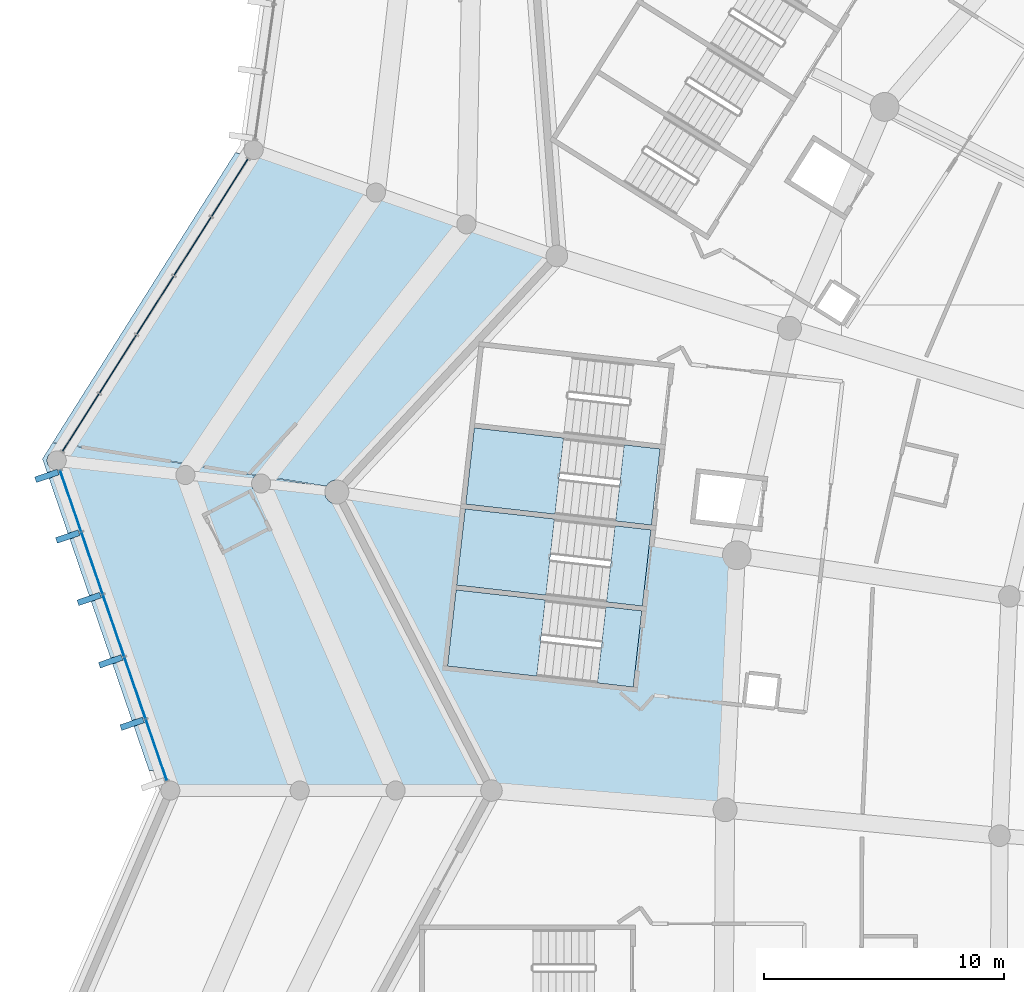
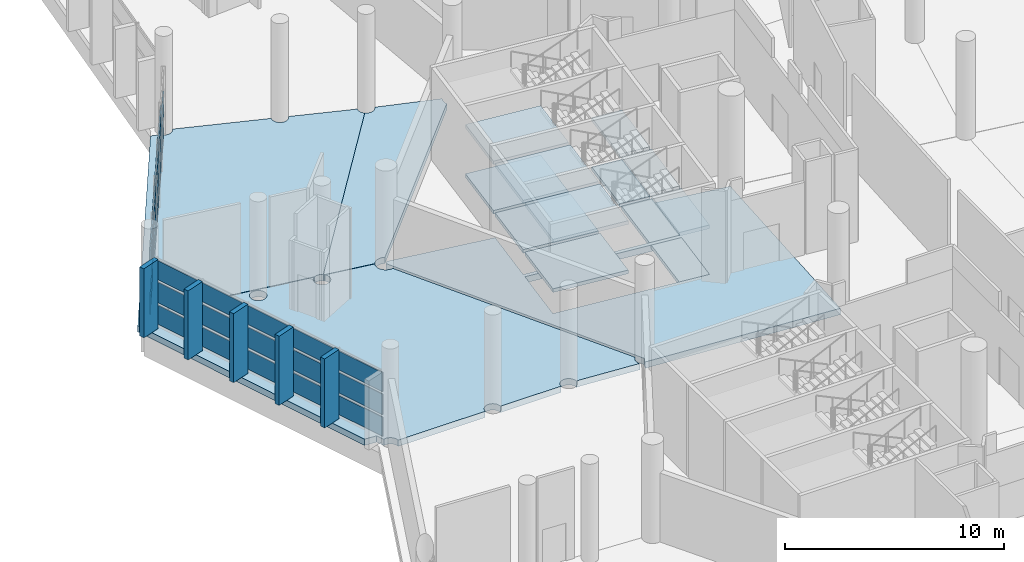
# One storey, part 139 of 271: 34 plates, 16 slabs, 5 elements without a shape of their own.
"""IFC4 building model written with IfcOpenShell, lengths in metres."""

import ifcopenshell
import ifcopenshell.guid

model = None  # the IFC model being written
_history = None  # IfcOwnerHistory: only IFC2X3 demands one
_inside = {}  # id of a spatial element -> (the spatial element, [elements in it])
_under = {}  # id of a project, library or spatial element -> (it, [spatial elements below it])
_declared = {}  # id of a project -> (the project, [libraries it declares])
_typed = {}  # id of a type object -> (the type object, [elements of that type])
_made_of = {}  # id of a material, layer set ... -> (it, [elements and type objects made of it])


def new_model(schema):
    """Start an empty IFC model of exactly this schema.

    Asked for "IFC4X3", IfcOpenShell would pick the latest addendum, in which some entities
    have other attributes; the version numbers below select the first issue.
    IFC2X3 requires an IfcOwnerHistory on every rooted entity: one is made here for all.
    """
    global model, _history
    if schema == "IFC4X3":
        model = ifcopenshell.file(schema_version=(4, 3, 0, 0))
    else:
        model = ifcopenshell.file(schema=schema)
    _inside.clear()
    _under.clear()
    _declared.clear()
    _typed.clear()
    _made_of.clear()
    _history = None
    if model.schema == "IFC2X3":
        org = make("IfcOrganization", Name="unknown")
        user = make(
            "IfcPersonAndOrganization",
            ThePerson=make("IfcPerson", FamilyName="unknown"),
            TheOrganization=org,
        )
        app = make(
            "IfcApplication",
            ApplicationDeveloper=org,
            Version="unknown",
            ApplicationFullName="unknown",
            ApplicationIdentifier="unknown",
        )
        _history = make(
            "IfcOwnerHistory",
            OwningUser=user,
            OwningApplication=app,
            ChangeAction="ADDED",
            CreationDate=0,
        )
    return model


def make(cls, **values):
    """One entity of the class cls with the attributes given. An attribute that is None is left unset."""
    return model.create_entity(
        cls, **{name: value for name, value in values.items() if value is not None}
    )


def rooted(cls, **values):
    """An entity with a GlobalId (a new one), such as an element, a storey or a relation."""
    return make(cls, GlobalId=ifcopenshell.guid.new(), OwnerHistory=_history, **values)


def si_unit(unit_type, name, prefix=None):
    """IfcSIUnit, for example si_unit("LENGTHUNIT", "METRE", prefix="MILLI")."""
    return make("IfcSIUnit", UnitType=unit_type, Prefix=prefix, Name=name)


def assignment(units):
    """IfcUnitAssignment: the units of a project."""
    return None if units is None else make("IfcUnitAssignment", Units=units)


def point(xyz):
    """IfcCartesianPoint."""
    return None if xyz is None else make("IfcCartesianPoint", Coordinates=xyz)


def direction(xyz):
    """IfcDirection."""
    return None if xyz is None else make("IfcDirection", DirectionRatios=xyz)


def frame(location, z_axis=None, x_axis=None):
    """IfcAxis2Placement3D, a coordinate frame: its origin and axes. An axis left out is left unset."""
    return make(
        "IfcAxis2Placement3D",
        Location=point(location),
        Axis=direction(z_axis),
        RefDirection=direction(x_axis),
    )


def frame_2d(location, x_axis=None):
    """IfcAxis2Placement2D, a coordinate frame in the plane: its origin and x axis."""
    return make(
        "IfcAxis2Placement2D", Location=point(location), RefDirection=direction(x_axis)
    )


def origin():
    """The frame at (0, 0, 0) with its axes left unset."""
    return frame((0.0, 0.0, 0.0))


def origin_2d():
    """The frame at (0, 0) in the plane with its x axis left unset."""
    return frame_2d((0.0, 0.0))


def place(relative_to, where):
    """IfcLocalPlacement: puts the frame where relative to a parent placement (None: the world)."""
    return make(
        "IfcLocalPlacement", PlacementRelTo=relative_to, RelativePlacement=where
    )


def context(
    kind, dimensions, precision=None, world=None, true_north=None, identifier=None
):
    """IfcGeometricRepresentationContext, for example the 3D "Model" context."""
    return make(
        "IfcGeometricRepresentationContext",
        ContextIdentifier=identifier,
        ContextType=kind,
        CoordinateSpaceDimension=dimensions,
        Precision=precision,
        WorldCoordinateSystem=world,
        TrueNorth=true_north,
    )


def subcontext(parent, identifier, kind, view, scale=None):
    """IfcGeometricRepresentationSubContext, for example "Body" below "Model"."""
    return make(
        "IfcGeometricRepresentationSubContext",
        ContextIdentifier=identifier,
        ContextType=kind,
        ParentContext=parent,
        TargetScale=scale,
        TargetView=view,
    )


def project(units=None, contexts=None):
    """IfcProject with its units and contexts."""
    return rooted(
        "IfcProject",
        Name="project",
        RepresentationContexts=contexts,
        UnitsInContext=assignment(units),
    )


def spatial(cls, under=None, at=None, **own):
    """A site, building, storey or space (cls), placed at a placement, below another one or the project."""
    s = rooted(cls, ObjectPlacement=at, **own)
    if under is not None:
        _under.setdefault(under.id(), (under, []))[1].append(s)
    return s


def polyline(points):
    """IfcPolyline through the points."""
    return make("IfcPolyline", Points=[point(p) for p in points])


def profile(cls, at=None, kind="AREA", **sizes):
    """A parametric profile (cls). Its sizes go by their IFC names, for example OverallWidth=200.0."""
    return make(cls, ProfileType=kind, Position=at, **sizes)


def rectangle(**sizes):
    """IfcRectangleProfileDef."""
    return profile("IfcRectangleProfileDef", **sizes)


def outline(outer, holes=None, kind="AREA"):
    """IfcArbitraryClosedProfileDef: a profile drawn as a closed curve; with holes, ...WithVoids."""
    if holes is None:
        return make("IfcArbitraryClosedProfileDef", ProfileType=kind, OuterCurve=outer)
    return make(
        "IfcArbitraryProfileDefWithVoids",
        ProfileType=kind,
        OuterCurve=outer,
        InnerCurves=holes,
    )


def extrude(swept, where, along, depth):
    """IfcExtrudedAreaSolid: the profile swept, set in the frame where, extruded along a direction by depth."""
    return make(
        "IfcExtrudedAreaSolid",
        SweptArea=swept,
        Position=where,
        ExtrudedDirection=direction(along),
        Depth=depth,
    )


def shape(context_of_items, identifier, shape_type, items):
    """IfcShapeRepresentation: the items that make up one representation, for example the "Body"."""
    return make(
        "IfcShapeRepresentation",
        ContextOfItems=context_of_items,
        RepresentationIdentifier=identifier,
        RepresentationType=shape_type,
        Items=items,
    )


def material(Name=None, Category=None):
    """IfcMaterial."""
    return make("IfcMaterial", Name=Name, Category=Category)


def layer(
    of_material, thickness, ventilated=None, Name=None, Category=None, Priority=None
):
    """IfcMaterialLayer: one layer of a wall or slab, of a material (None: an air gap)."""
    return make(
        "IfcMaterialLayer",
        Material=of_material,
        LayerThickness=thickness,
        IsVentilated=ventilated,
        Name=Name,
        Category=Category,
        Priority=Priority,
    )


def layer_set(layers, Name=None):
    """IfcMaterialLayerSet."""
    return make("IfcMaterialLayerSet", MaterialLayers=layers, LayerSetName=Name)


def made_of(thing, what):
    """Note that an element or type object is made of a material, layer set ...; save() writes the relation."""
    if what is not None:
        _made_of.setdefault(what.id(), (what, []))[1].append(thing)
    return thing


def type_object(cls, material=None, **own):
    """A type object (cls), such as IfcWallType, which elements share."""
    return made_of(rooted(cls, **own), material)


def element(
    cls,
    number,
    at=None,
    inside=None,
    cuts=None,
    type_object=None,
    material=None,
    context=None,
    identifier="Body",
    shape_type=None,
    held_by="IfcProductDefinitionShape",
    body=None,
    shapes=None,
    **own,
):
    """One element of the class cls, such as IfcWall. Its Tag is "e" and its number.

    at: its placement. inside: the storey or other place that contains it. cuts: it is an
    opening in that element (IfcRelVoidsElement). A single representation is given by context,
    identifier, shape_type and body (its items); several are given by shapes. held_by: the class
    of the entity that holds the representations. save() writes the other relations.
    """
    e = rooted(cls, Tag="e%d" % number, ObjectPlacement=at, **own)
    if body is not None:
        shapes = [shape(context, identifier, shape_type, body)]
    if shapes is not None:
        e.Representation = make(held_by, Representations=shapes)
    if inside is not None:
        _inside.setdefault(inside.id(), (inside, []))[1].append(e)
    if cuts is not None:
        rooted(
            "IfcRelVoidsElement", RelatingBuildingElement=cuts, RelatedOpeningElement=e
        )
    if type_object is not None:
        _typed.setdefault(type_object.id(), (type_object, []))[1].append(e)
    return made_of(e, material)


def aggregate(whole, parts):
    """IfcRelAggregates: a whole, such as a stair, and the parts it consists of."""
    return rooted("IfcRelAggregates", RelatingObject=whole, RelatedObjects=parts)


def save(model, path):
    """Write the relations noted so far, then the file.

    IfcRelAggregates (storeys below a building ...), IfcRelContainedInSpatialStructure (elements
    in a storey), IfcRelDefinesByType, IfcRelAssociatesMaterial and IfcRelDeclares: one each for
    every whole, place, type object, material and project.
    """
    for whole, parts in _under.values():
        aggregate(whole, parts)
    for where, things in _inside.values():
        rooted(
            "IfcRelContainedInSpatialStructure",
            RelatedElements=things,
            RelatingStructure=where,
        )
    for kind, things in _typed.values():
        rooted("IfcRelDefinesByType", RelatedObjects=things, RelatingType=kind)
    for what, things in _made_of.values():
        rooted("IfcRelAssociatesMaterial", RelatedObjects=things, RelatingMaterial=what)
    for by, libraries in _declared.values():
        rooted("IfcRelDeclares", RelatingContext=by, RelatedDefinitions=libraries)
    model.write(path)


model = new_model("IFC4")

# Units and contexts
model_context = context("Model", 3, precision=1e-05, world=origin(), true_north=direction((0.0, 1.0)))
body_context = subcontext(model_context, "Body", "Model", "MODEL_VIEW")
ifc_project = project(units=[si_unit("LENGTHUNIT", "METRE"), si_unit("AREAUNIT", "SQUARE_METRE"), si_unit("VOLUMEUNIT", "CUBIC_METRE"), si_unit("PLANEANGLEUNIT", "RADIAN"), si_unit("MASSUNIT", "GRAM", prefix="KILO")], contexts=[model_context])

# Site, building, storey
site_placement = place(None, origin())
site = spatial("IfcSite", under=ifc_project, at=site_placement, CompositionType="ELEMENT")
building_placement = place(site_placement, origin())
building = spatial("IfcBuilding", under=site, at=building_placement, Name="Meseta Stadium", CompositionType="ELEMENT")
storey_placement = place(building_placement, frame((0.0, 0.0, 6.5)))
storey = spatial("IfcBuildingStorey", under=building, at=storey_placement, Name="L01", CompositionType="ELEMENT", Elevation=6.5)

# Slabs
ifc_material_1 = material(Name="Concrete C40/50", Category="concrete")
ifc_layer_1 = layer(ifc_material_1, 0.35009765625)
ifc_layer_set_1 = layer_set([ifc_layer_1], Name="Floor slab 350")
slab_type_1 = type_object("IfcSlabType", Name="Floor slab 350", PredefinedType="FLOOR", material=ifc_layer_set_1)
slab_1_placement = place(storey_placement, frame((0.0, 0.0, -0.35009765625)))
element("IfcSlab", 1, at=slab_1_placement, inside=storey, type_object=slab_type_1, Name="Floor slab L01 sector 28 panel 03", PredefinedType="FLOOR", context=body_context, shape_type="SweptSolid", body=[
    extrude(outline(polyline([(-87.98779296875, 54.252197265625), (-88.30419921875, 51.44580078125), (-96.05517578125, 52.319091796875), (-95.697509765625, 55.493896484375), (-100.927490234375, 56.336181640625), (-101.0517578125, 56.202880859375), (-94.60009765625, 43.75), (-94.736328125, 43.49951171875), (-84.85546875, 42.7412109375), (-84.85400390625, 42.948486328125), (-84.36328125, 53.5654296875), (-84.34033203125, 53.664794921875), (-87.98779296875, 54.252197265625)]), holes=[polyline([(-88.684814453125, 48.06689453125), (-96.435791015625, 48.9404296875), (-96.077392578125, 52.1201171875), (-88.326416015625, 51.246826171875), (-88.684814453125, 48.06689453125)])]), origin(), (0.0, 0.0, 1.0), 0.35009765625),
])
slab_2_placement = place(storey_placement, frame((0.0, 0.0, -0.35009765625)))
element("IfcSlab", 2, at=slab_2_placement, inside=storey, type_object=slab_type_1, Name="Ring floor slab L01 4 part 1 panel 03", PredefinedType="FLOOR", context=body_context, shape_type="SweptSolid", body=[
    extrude(outline(polyline([(-98.210205078125, 43.8544921875), (-98.196533203125, 43.75), (-98.00048828125, 43.75), (-94.989990234375, 43.51904296875), (-94.9931640625, 43.523193359375), (-95.038330078125, 43.632568359375), (-95.053955078125, 43.75), (-95.038330078125, 43.867431640625), (-94.9931640625, 43.976806640625), (-94.929443359375, 44.059814453125), (-100.965087890625, 55.7099609375), (-101.0517578125, 55.698486328125), (-101.18212890625, 55.7158203125), (-101.3037109375, 55.76611328125), (-101.408203125, 55.84619140625), (-101.48828125, 55.95068359375), (-101.538818359375, 56.072265625), (-101.555908203125, 56.202880859375), (-101.538818359375, 56.33349609375), (-101.49951171875, 56.42822265625), (-103.90478515625, 56.815673828125), (-103.862548828125, 56.760498046875), (-103.822265625, 56.663330078125), (-103.80859375, 56.558837890625), (-103.822265625, 56.45458984375), (-103.862548828125, 56.357177734375), (-103.9267578125, 56.273681640625), (-104.01025390625, 56.20947265625), (-104.107666015625, 56.169189453125), (-104.2119140625, 56.155517578125), (-104.31640625, 56.169189453125), (-104.413818359375, 56.20947265625), (-104.497314453125, 56.273681640625), (-104.561279296875, 56.357177734375), (-104.601806640625, 56.45458984375), (-104.615478515625, 56.558837890625), (-104.601806640625, 56.663330078125), (-104.561279296875, 56.760498046875), (-104.497314453125, 56.84423828125), (-104.42529296875, 56.8994140625), (-112.906982421875, 58.265380859375), (-113.334716796875, 57.5869140625), (-108.885986328125, 44.58544921875), (-108.271240234375, 44.538330078125), (-108.13037109375, 44.12890625), (-108.1044921875, 44.1396484375), (-108.0, 44.153564453125), (-107.8955078125, 44.1396484375), (-107.79833984375, 44.099365234375), (-107.714599609375, 44.035400390625), (-107.650634765625, 43.95166015625), (-107.6103515625, 43.8544921875), (-107.596435546875, 43.75), (-103.00341796875, 43.75), (-102.98974609375, 43.8544921875), (-102.949462890625, 43.95166015625), (-102.88525390625, 44.035400390625), (-102.8017578125, 44.099365234375), (-102.704345703125, 44.1396484375), (-102.60009765625, 44.153564453125), (-102.49560546875, 44.1396484375), (-102.398193359375, 44.099365234375), (-102.314697265625, 44.035400390625), (-102.25048828125, 43.95166015625), (-102.210205078125, 43.8544921875), (-102.196533203125, 43.75), (-99.00341796875, 43.75), (-98.98974609375, 43.8544921875), (-98.949462890625, 43.95166015625), (-98.88525390625, 44.035400390625), (-98.8017578125, 44.099365234375), (-98.704345703125, 44.1396484375), (-98.60009765625, 44.153564453125), (-98.49560546875, 44.1396484375), (-98.398193359375, 44.099365234375), (-98.314697265625, 44.035400390625), (-98.25048828125, 43.95166015625), (-98.210205078125, 43.8544921875)]), holes=[polyline([(-107.57421875, 56.565673828125), (-107.65771484375, 56.629638671875), (-107.7216796875, 56.71337890625), (-107.76220703125, 56.810546875), (-107.77587890625, 56.9150390625), (-107.76220703125, 57.019287109375), (-107.7216796875, 57.11669921875), (-107.65771484375, 57.2001953125), (-107.57421875, 57.264404296875), (-107.476806640625, 57.3046875), (-107.372314453125, 57.318603515625), (-107.267822265625, 57.3046875), (-107.170654296875, 57.264404296875), (-107.087158203125, 57.2001953125), (-107.02294921875, 57.11669921875), (-106.982666015625, 57.019287109375), (-106.968994140625, 56.9150390625), (-106.982666015625, 56.810546875), (-107.02294921875, 56.71337890625), (-107.087158203125, 56.629638671875), (-107.170654296875, 56.565673828125), (-107.267822265625, 56.525390625), (-107.372314453125, 56.51171875), (-107.476806640625, 56.525390625), (-107.57421875, 56.565673828125)]), polyline([(-112.3486328125, 57.415283203125), (-112.388916015625, 57.31787109375), (-112.453125, 57.234375), (-112.53662109375, 57.170166015625), (-112.634033203125, 57.1298828125), (-112.73828125, 57.1162109375), (-112.8427734375, 57.1298828125), (-112.940185546875, 57.170166015625), (-113.023681640625, 57.234375), (-113.087890625, 57.31787109375), (-113.128173828125, 57.415283203125), (-113.141845703125, 57.51953125), (-113.128173828125, 57.6240234375), (-113.087890625, 57.72119140625), (-113.023681640625, 57.804931640625), (-112.940185546875, 57.868896484375), (-112.8427734375, 57.9091796875), (-112.73828125, 57.923095703125), (-112.634033203125, 57.9091796875), (-112.53662109375, 57.868896484375), (-112.453125, 57.804931640625), (-112.388916015625, 57.72119140625), (-112.3486328125, 57.6240234375), (-112.3349609375, 57.51953125), (-112.3486328125, 57.415283203125)])]), origin(), (0.0, 0.0, 1.0), 0.35009765625),
])
slab_3_placement = place(storey_placement, frame((0.0, 0.0, -0.35009765625)))
element("IfcSlab", 3, at=slab_3_placement, inside=storey, type_object=slab_type_1, Name="Ring floor slab L01 4 part 2 panel 01", PredefinedType="FLOOR", context=body_context, shape_type="SweptSolid", body=[
    extrude(outline(polyline([(-104.235595703125, 70.19189453125), (-104.319091796875, 70.1279296875), (-104.416259765625, 70.087646484375), (-104.520751953125, 70.073974609375), (-104.625244140625, 70.087646484375), (-104.722412109375, 70.1279296875), (-104.805908203125, 70.19189453125), (-104.837646484375, 70.233154296875), (-105.27880859375, 70.37158203125), (-112.895263671875, 58.283935546875), (-104.39697265625, 56.915283203125), (-104.31640625, 56.948486328125), (-104.2119140625, 56.96240234375), (-104.107666015625, 56.948486328125), (-104.01025390625, 56.908203125), (-103.963623046875, 56.87255859375), (-95.896484375, 67.05908203125), (-95.93359375, 67.08740234375), (-95.997802734375, 67.1708984375), (-96.0380859375, 67.268310546875), (-96.0517578125, 67.372802734375), (-96.038330078125, 67.474365234375), (-96.0263671875, 67.5048828125), (-99.045654296875, 68.5615234375), (-99.074462890625, 68.4921875), (-99.138427734375, 68.408447265625), (-99.22216796875, 68.344482421875), (-99.3193359375, 68.30419921875), (-99.423828125, 68.290283203125), (-99.5283203125, 68.30419921875), (-99.62548828125, 68.344482421875), (-99.64794921875, 68.361572265625), (-99.708984375, 68.408447265625), (-99.773193359375, 68.4921875), (-99.8134765625, 68.58935546875), (-99.8271484375, 68.69384765625), (-99.8134765625, 68.798095703125), (-99.802001953125, 68.826171875), (-104.142578125, 70.344970703125), (-104.17138671875, 70.275634765625), (-104.235595703125, 70.19189453125)])), origin(), (0.0, 0.0, 1.0), 0.35009765625),
])
slab_4_placement = place(storey_placement, frame((0.0, 0.0, -0.35009765625)))
element("IfcSlab", 4, at=slab_4_placement, inside=storey, type_object=slab_type_1, Name="Ring floor slab L01 4 part 2 panel 03", PredefinedType="FLOOR", context=body_context, shape_type="SweptSolid", body=[
    extrude(outline(polyline([(-92.27294921875, 65.842041015625), (-92.31103515625, 65.93408203125), (-92.32666015625, 66.051513671875), (-92.31103515625, 66.1689453125), (-92.265869140625, 66.278564453125), (-92.2578125, 66.2890625), (-95.272705078125, 67.234375), (-95.298828125, 67.1708984375), (-95.363037109375, 67.08740234375), (-95.446533203125, 67.023193359375), (-95.543701171875, 66.98291015625), (-95.648193359375, 66.96923828125), (-95.752685546875, 66.98291015625), (-95.85009765625, 67.023193359375), (-95.896484375, 67.05908203125), (-103.963623046875, 56.87255859375), (-103.9267578125, 56.84423828125), (-103.922607421875, 56.8388671875), (-101.49169921875, 56.447265625), (-101.48828125, 56.455078125), (-101.408203125, 56.559326171875), (-101.3037109375, 56.6396484375), (-101.18212890625, 56.68994140625), (-101.0517578125, 56.70703125), (-100.921142578125, 56.68994140625), (-100.835693359375, 56.654541015625), (-92.27294921875, 65.842041015625)])), origin(), (0.0, 0.0, 1.0), 0.35009765625),
])

# Curtain wall, plates
ifc_material_2 = material(Name="Aluminium", Category="aluminium")
ifc_layer_2 = layer(ifc_material_2, 0.199951171875)
ifc_layer_set_2 = layer_set([ifc_layer_2], Name="Ring shopfront curtain wall")
curtain_wall_type = type_object("IfcCurtainWallType", Name="Ring shopfront curtain wall", PredefinedType="NOTDEFINED", material=ifc_layer_set_2)
curtain_wall_1_placement = place(storey_placement, origin())
curtain_wall_1 = element("IfcCurtainWall", 5, at=curtain_wall_1_placement, inside=storey, type_object=curtain_wall_type, Name="Ring glazing L01 F27", PredefinedType="NOTDEFINED")
ifc_material_3 = material(Name="Glass", Category="glass")
ifc_layer_3 = layer(ifc_material_3, 0.035888671875)
ifc_layer_set_3 = layer_set([ifc_layer_3], Name="Ring CW glass panel 36")
plate_type_1 = type_object("IfcPlateType", Name="Ring CW glass panel 36", PredefinedType="CURTAIN_PANEL", material=ifc_layer_set_3)
plate_1_placement = place(storey_placement, frame((-105.52197265625, 68.898681640625, 0.14990234375), z_axis=(0.0, 0.0, 1.0), x_axis=(-0.535569055659, -0.844491436677, 0.0)))
plate_1 = element("IfcPlate", 6, at=plate_1_placement, type_object=plate_type_1, Name="CWR1 panel 1.1", PredefinedType="CURTAIN_PANEL", context=body_context, shape_type="SweptSolid", body=[
    extrude(rectangle(XDim=2.81884765625, YDim=0.035888671875, at=origin_2d()), origin(), (0.0, 0.0, 1.0), 1.058349609375),
])
plate_2_placement = place(storey_placement, frame((-105.52197265625, 68.898681640625, 1.3583984375), z_axis=(0.0, 0.0, 1.0), x_axis=(-0.535569055659, -0.844491436677, 0.0)))
plate_2 = element("IfcPlate", 7, at=plate_2_placement, type_object=plate_type_1, Name="CWR1 panel 1.2", PredefinedType="CURTAIN_PANEL", context=body_context, shape_type="SweptSolid", body=[
    extrude(rectangle(XDim=2.81884765625, YDim=0.035888671875, at=origin_2d()), origin(), (0.0, 0.0, 1.0), 1.13330078125),
])
plate_3_placement = place(storey_placement, frame((-107.07177734375, 66.454833984375, 0.14990234375), z_axis=(0.0, 0.0, 1.0), x_axis=(-0.535569055659, -0.844491436677, 0.0)))
plate_3 = element("IfcPlate", 8, at=plate_3_placement, type_object=plate_type_1, Name="CWR1 panel 2.1", PredefinedType="CURTAIN_PANEL", context=body_context, shape_type="SweptSolid", body=[
    extrude(rectangle(XDim=2.848876953125, YDim=0.035888671875, at=origin_2d()), origin(), (0.0, 0.0, 1.0), 1.058349609375),
])
plate_4_placement = place(storey_placement, frame((-107.07177734375, 66.454833984375, 1.3583984375), z_axis=(0.0, 0.0, 1.0), x_axis=(-0.535569055659, -0.844491436677, 0.0)))
plate_4 = element("IfcPlate", 9, at=plate_4_placement, type_object=plate_type_1, Name="CWR1 panel 2.2", PredefinedType="CURTAIN_PANEL", context=body_context, shape_type="SweptSolid", body=[
    extrude(rectangle(XDim=2.848876953125, YDim=0.035888671875, at=origin_2d()), origin(), (0.0, 0.0, 1.0), 1.13330078125),
])
plate_5_placement = place(storey_placement, frame((-107.07177734375, 66.454833984375, 2.6416015625), z_axis=(0.0, 0.0, 1.0), x_axis=(-0.535569055659, -0.844491436677, 0.0)))
plate_5 = element("IfcPlate", 10, at=plate_5_placement, type_object=plate_type_1, Name="CWR1 panel 2.3", PredefinedType="CURTAIN_PANEL", context=body_context, shape_type="SweptSolid", body=[
    extrude(rectangle(XDim=2.848876953125, YDim=0.035888671875, at=origin_2d()), origin(), (0.0, 0.0, 1.0), 1.058349609375),
])
plate_6_placement = place(storey_placement, frame((-108.629638671875, 63.99853515625, 0.14990234375), z_axis=(0.0, 0.0, 1.0), x_axis=(-0.535569055659, -0.844491436677, 0.0)))
plate_6 = element("IfcPlate", 11, at=plate_6_placement, type_object=plate_type_1, Name="CWR1 panel 3.1", PredefinedType="CURTAIN_PANEL", context=body_context, shape_type="SweptSolid", body=[
    extrude(rectangle(XDim=2.848876953125, YDim=0.035888671875, at=origin_2d()), origin(), (0.0, 0.0, 1.0), 1.058349609375),
])
plate_7_placement = place(storey_placement, frame((-108.629638671875, 63.99853515625, 1.3583984375), z_axis=(0.0, 0.0, 1.0), x_axis=(-0.535569055659, -0.844491436677, 0.0)))
plate_7 = element("IfcPlate", 12, at=plate_7_placement, type_object=plate_type_1, Name="CWR1 panel 3.2", PredefinedType="CURTAIN_PANEL", context=body_context, shape_type="SweptSolid", body=[
    extrude(rectangle(XDim=2.848876953125, YDim=0.035888671875, at=origin_2d()), origin(), (0.0, 0.0, 1.0), 1.13330078125),
])
plate_8_placement = place(storey_placement, frame((-108.629638671875, 63.99853515625, 2.6416015625), z_axis=(0.0, 0.0, 1.0), x_axis=(-0.535569055659, -0.844491436677, 0.0)))
plate_8 = element("IfcPlate", 13, at=plate_8_placement, type_object=plate_type_1, Name="CWR1 panel 3.3", PredefinedType="CURTAIN_PANEL", context=body_context, shape_type="SweptSolid", body=[
    extrude(rectangle(XDim=2.848876953125, YDim=0.035888671875, at=origin_2d()), origin(), (0.0, 0.0, 1.0), 1.058349609375),
])
plate_9_placement = place(storey_placement, frame((-110.1875, 61.5419921875, 0.14990234375), z_axis=(0.0, 0.0, 1.0), x_axis=(-0.535569055659, -0.844491436677, 0.0)))
plate_9 = element("IfcPlate", 14, at=plate_9_placement, type_object=plate_type_1, Name="CWR1 panel 4.1", PredefinedType="CURTAIN_PANEL", context=body_context, shape_type="SweptSolid", body=[
    extrude(rectangle(XDim=2.848876953125, YDim=0.035888671875, at=origin_2d()), origin(), (0.0, 0.0, 1.0), 1.058349609375),
])
plate_10_placement = place(storey_placement, frame((-110.1875, 61.5419921875, 1.3583984375), z_axis=(0.0, 0.0, 1.0), x_axis=(-0.535569055659, -0.844491436677, 0.0)))
plate_10 = element("IfcPlate", 15, at=plate_10_placement, type_object=plate_type_1, Name="CWR1 panel 4.2", PredefinedType="CURTAIN_PANEL", context=body_context, shape_type="SweptSolid", body=[
    extrude(rectangle(XDim=2.848876953125, YDim=0.035888671875, at=origin_2d()), origin(), (0.0, 0.0, 1.0), 1.13330078125),
])
plate_11_placement = place(storey_placement, frame((-110.1875, 61.5419921875, 2.6416015625), z_axis=(0.0, 0.0, 1.0), x_axis=(-0.535569055659, -0.844491436677, 0.0)))
plate_11 = element("IfcPlate", 16, at=plate_11_placement, type_object=plate_type_1, Name="CWR1 panel 4.3", PredefinedType="CURTAIN_PANEL", context=body_context, shape_type="SweptSolid", body=[
    extrude(rectangle(XDim=2.848876953125, YDim=0.035888671875, at=origin_2d()), origin(), (0.0, 0.0, 1.0), 1.058349609375),
])
plate_12_placement = place(storey_placement, frame((-111.7373046875, 59.098388671875, 0.14990234375), z_axis=(0.0, 0.0, 1.0), x_axis=(-0.535569055659, -0.844491436677, 0.0)))
plate_12 = element("IfcPlate", 17, at=plate_12_placement, type_object=plate_type_1, Name="CWR1 panel 5.1", PredefinedType="CURTAIN_PANEL", context=body_context, shape_type="SweptSolid", body=[
    extrude(rectangle(XDim=2.81884765625, YDim=0.035888671875, at=origin_2d()), origin(), (0.0, 0.0, 1.0), 1.058349609375),
])
plate_13_placement = place(storey_placement, frame((-111.7373046875, 59.098388671875, 1.3583984375), z_axis=(0.0, 0.0, 1.0), x_axis=(-0.535569055659, -0.844491436677, 0.0)))
plate_13 = element("IfcPlate", 18, at=plate_13_placement, type_object=plate_type_1, Name="CWR1 panel 5.2", PredefinedType="CURTAIN_PANEL", context=body_context, shape_type="SweptSolid", body=[
    extrude(rectangle(XDim=2.81884765625, YDim=0.035888671875, at=origin_2d()), origin(), (0.0, 0.0, 1.0), 1.13330078125),
])
plate_14_placement = place(storey_placement, frame((-111.7373046875, 59.098388671875, 2.6416015625), z_axis=(0.0, 0.0, 1.0), x_axis=(-0.535569055659, -0.844491436677, 0.0)))
plate_14 = element("IfcPlate", 19, at=plate_14_placement, type_object=plate_type_1, Name="CWR1 panel 5.3", PredefinedType="CURTAIN_PANEL", context=body_context, shape_type="SweptSolid", body=[
    extrude(rectangle(XDim=2.81884765625, YDim=0.035888671875, at=origin_2d()), origin(), (0.0, 0.0, 1.0), 1.058349609375),
])
aggregate(curtain_wall_1, [plate_1, plate_2, plate_3, plate_4, plate_5, plate_6, plate_7, plate_8, plate_9, plate_10, plate_11, plate_12, plate_13, plate_14])

curtain_wall_2_placement = place(storey_placement, origin())
curtain_wall_2 = element("IfcCurtainWall", 20, at=curtain_wall_2_placement, inside=storey, type_object=curtain_wall_type, Name="Ring glazing L01 F28", PredefinedType="NOTDEFINED")
plate_15_placement = place(storey_placement, frame((-112.155517578125, 55.825927734375, 0.14990234375), z_axis=(0.0, 0.0, 1.0), x_axis=(0.325385990532, -0.945581280042, 0.0)))
plate_15 = element("IfcPlate", 21, at=plate_15_placement, type_object=plate_type_1, Name="CWR1 panel 1.1", PredefinedType="CURTAIN_PANEL", context=body_context, shape_type="SweptSolid", body=[
    extrude(rectangle(XDim=2.662353515625, YDim=0.035888671875, at=origin_2d()), origin(), (0.0, 0.0, 1.0), 1.058349609375),
])
plate_16_placement = place(storey_placement, frame((-112.155517578125, 55.825927734375, 1.3583984375), z_axis=(0.0, 0.0, 1.0), x_axis=(0.325385990532, -0.945581280042, 0.0)))
plate_16 = element("IfcPlate", 22, at=plate_16_placement, type_object=plate_type_1, Name="CWR1 panel 1.2", PredefinedType="CURTAIN_PANEL", context=body_context, shape_type="SweptSolid", body=[
    extrude(rectangle(XDim=2.662353515625, YDim=0.035888671875, at=origin_2d()), origin(), (0.0, 0.0, 1.0), 1.13330078125),
])
plate_17_placement = place(storey_placement, frame((-112.155517578125, 55.825927734375, 2.6416015625), z_axis=(0.0, 0.0, 1.0), x_axis=(0.325385990532, -0.945581280042, 0.0)))
plate_17 = element("IfcPlate", 23, at=plate_17_placement, type_object=plate_type_1, Name="CWR1 panel 1.3", PredefinedType="CURTAIN_PANEL", context=body_context, shape_type="SweptSolid", body=[
    extrude(rectangle(XDim=2.662353515625, YDim=0.035888671875, at=origin_2d()), origin(), (0.0, 0.0, 1.0), 1.058349609375),
])
plate_18_placement = place(storey_placement, frame((-111.264892578125, 53.237548828125, 0.14990234375), z_axis=(0.0, 0.0, 1.0), x_axis=(0.325385990532, -0.945581280042, 0.0)))
plate_18 = element("IfcPlate", 24, at=plate_18_placement, type_object=plate_type_1, Name="CWR1 panel 2.1", PredefinedType="CURTAIN_PANEL", context=body_context, shape_type="SweptSolid", body=[
    extrude(rectangle(XDim=2.6923828125, YDim=0.035888671875, at=origin_2d()), origin(), (0.0, 0.0, 1.0), 1.058349609375),
])
plate_19_placement = place(storey_placement, frame((-111.264892578125, 53.237548828125, 1.3583984375), z_axis=(0.0, 0.0, 1.0), x_axis=(0.325385990532, -0.945581280042, 0.0)))
plate_19 = element("IfcPlate", 25, at=plate_19_placement, type_object=plate_type_1, Name="CWR1 panel 2.2", PredefinedType="CURTAIN_PANEL", context=body_context, shape_type="SweptSolid", body=[
    extrude(rectangle(XDim=2.6923828125, YDim=0.035888671875, at=origin_2d()), origin(), (0.0, 0.0, 1.0), 1.13330078125),
])
plate_20_placement = place(storey_placement, frame((-111.264892578125, 53.237548828125, 2.6416015625), z_axis=(0.0, 0.0, 1.0), x_axis=(0.325385990532, -0.945581280042, 0.0)))
plate_20 = element("IfcPlate", 26, at=plate_20_placement, type_object=plate_type_1, Name="CWR1 panel 2.3", PredefinedType="CURTAIN_PANEL", context=body_context, shape_type="SweptSolid", body=[
    extrude(rectangle(XDim=2.6923828125, YDim=0.035888671875, at=origin_2d()), origin(), (0.0, 0.0, 1.0), 1.058349609375),
])
plate_21_placement = place(storey_placement, frame((-110.369140625, 50.634765625, 0.14990234375), z_axis=(0.0, 0.0, 1.0), x_axis=(0.325385990532, -0.945581280042, 0.0)))
plate_21 = element("IfcPlate", 27, at=plate_21_placement, type_object=plate_type_1, Name="CWR1 panel 3.1", PredefinedType="CURTAIN_PANEL", context=body_context, shape_type="SweptSolid", body=[
    extrude(rectangle(XDim=2.6923828125, YDim=0.035888671875, at=origin_2d()), origin(), (0.0, 0.0, 1.0), 1.058349609375),
])
plate_22_placement = place(storey_placement, frame((-110.369140625, 50.634765625, 1.3583984375), z_axis=(0.0, 0.0, 1.0), x_axis=(0.325385990532, -0.945581280042, 0.0)))
plate_22 = element("IfcPlate", 28, at=plate_22_placement, type_object=plate_type_1, Name="CWR1 panel 3.2", PredefinedType="CURTAIN_PANEL", context=body_context, shape_type="SweptSolid", body=[
    extrude(rectangle(XDim=2.6923828125, YDim=0.035888671875, at=origin_2d()), origin(), (0.0, 0.0, 1.0), 1.13330078125),
])
plate_23_placement = place(storey_placement, frame((-110.369140625, 50.634765625, 2.6416015625), z_axis=(0.0, 0.0, 1.0), x_axis=(0.325385990532, -0.945581280042, 0.0)))
plate_23 = element("IfcPlate", 29, at=plate_23_placement, type_object=plate_type_1, Name="CWR1 panel 3.3", PredefinedType="CURTAIN_PANEL", context=body_context, shape_type="SweptSolid", body=[
    extrude(rectangle(XDim=2.6923828125, YDim=0.035888671875, at=origin_2d()), origin(), (0.0, 0.0, 1.0), 1.058349609375),
])
plate_24_placement = place(storey_placement, frame((-109.4736328125, 48.0322265625, 0.14990234375), z_axis=(0.0, 0.0, 1.0), x_axis=(0.325385990532, -0.945581280042, 0.0)))
plate_24 = element("IfcPlate", 30, at=plate_24_placement, type_object=plate_type_1, Name="CWR1 panel 4.1", PredefinedType="CURTAIN_PANEL", context=body_context, shape_type="SweptSolid", body=[
    extrude(rectangle(XDim=2.6923828125, YDim=0.035888671875, at=origin_2d()), origin(), (0.0, 0.0, 1.0), 1.058349609375),
])
plate_25_placement = place(storey_placement, frame((-109.4736328125, 48.0322265625, 1.3583984375), z_axis=(0.0, 0.0, 1.0), x_axis=(0.325385990532, -0.945581280042, 0.0)))
plate_25 = element("IfcPlate", 31, at=plate_25_placement, type_object=plate_type_1, Name="CWR1 panel 4.2", PredefinedType="CURTAIN_PANEL", context=body_context, shape_type="SweptSolid", body=[
    extrude(rectangle(XDim=2.6923828125, YDim=0.035888671875, at=origin_2d()), origin(), (0.0, 0.0, 1.0), 1.13330078125),
])
plate_26_placement = place(storey_placement, frame((-109.4736328125, 48.0322265625, 2.6416015625), z_axis=(0.0, 0.0, 1.0), x_axis=(0.325385990532, -0.945581280042, 0.0)))
plate_26 = element("IfcPlate", 32, at=plate_26_placement, type_object=plate_type_1, Name="CWR1 panel 4.3", PredefinedType="CURTAIN_PANEL", context=body_context, shape_type="SweptSolid", body=[
    extrude(rectangle(XDim=2.6923828125, YDim=0.035888671875, at=origin_2d()), origin(), (0.0, 0.0, 1.0), 1.058349609375),
])
plate_27_placement = place(storey_placement, frame((-108.582763671875, 45.443603515625, 0.14990234375), z_axis=(0.0, 0.0, 1.0), x_axis=(0.325385990532, -0.945581280042, 0.0)))
plate_27 = element("IfcPlate", 33, at=plate_27_placement, type_object=plate_type_1, Name="CWR1 panel 5.1", PredefinedType="CURTAIN_PANEL", context=body_context, shape_type="SweptSolid", body=[
    extrude(rectangle(XDim=2.662353515625, YDim=0.035888671875, at=origin_2d()), origin(), (0.0, 0.0, 1.0), 1.058349609375),
])
plate_28_placement = place(storey_placement, frame((-108.582763671875, 45.443603515625, 1.3583984375), z_axis=(0.0, 0.0, 1.0), x_axis=(0.325385990532, -0.945581280042, 0.0)))
plate_28 = element("IfcPlate", 34, at=plate_28_placement, type_object=plate_type_1, Name="CWR1 panel 5.2", PredefinedType="CURTAIN_PANEL", context=body_context, shape_type="SweptSolid", body=[
    extrude(rectangle(XDim=2.662353515625, YDim=0.035888671875, at=origin_2d()), origin(), (0.0, 0.0, 1.0), 1.13330078125),
])
plate_29_placement = place(storey_placement, frame((-108.582763671875, 45.443603515625, 2.6416015625), z_axis=(0.0, 0.0, 1.0), x_axis=(0.325385990532, -0.945581280042, 0.0)))
plate_29 = element("IfcPlate", 35, at=plate_29_placement, type_object=plate_type_1, Name="CWR1 panel 5.3", PredefinedType="CURTAIN_PANEL", context=body_context, shape_type="SweptSolid", body=[
    extrude(rectangle(XDim=2.662353515625, YDim=0.035888671875, at=origin_2d()), origin(), (0.0, 0.0, 1.0), 1.058349609375),
])
aggregate(curtain_wall_2, [plate_15, plate_16, plate_17, plate_18, plate_19, plate_20, plate_21, plate_22, plate_23, plate_24, plate_25, plate_26, plate_27, plate_28, plate_29])

# Plates
ifc_material_4 = material(Name="Precast concrete C40/50", Category="concrete")
ifc_layer_4 = layer(ifc_material_4, 0.25)
ifc_layer_set_4 = layer_set([ifc_layer_4], Name="Ring brise-soleil fin 250x1000")
plate_type_2 = type_object("IfcPlateType", Name="Ring brise-soleil fin 250x1000", PredefinedType="USERDEFINED", material=ifc_layer_set_4)
for number, where, z_axis, x_axis, name in (
    (36, (-113.151123046875, 56.875244140625, 0.0), (0.0, 0.0, 1.0), (0.325393223316, -0.945578791122, 0.0), "Brise-soleil fin L01 F28.1"),
    (37, (-112.280029296875, 54.343505859375, 0.0), (0.0, 0.0, 1.0), (0.325393223316, -0.945578791122, 0.0), "Brise-soleil fin L01 F28.2"),
    (38, (-111.384521484375, 51.740966796875, 0.0), (0.0, 0.0, 1.0), (0.325393223316, -0.945578791122, 0.0), "Brise-soleil fin L01 F28.3"),
    (39, (-110.48876953125, 49.13818359375, 0.0), (0.0, 0.0, 1.0), (0.325393223316, -0.945578791122, 0.0), "Brise-soleil fin L01 F28.4"),
    (40, (-109.593017578125, 46.53564453125, 0.0), (0.0, 0.0, 1.0), (0.325393223316, -0.945578791122, 0.0), "Brise-soleil fin L01 F28.5"),
):
    element("IfcPlate", number, at=place(storey_placement, frame(where, z_axis=z_axis, x_axis=x_axis)), inside=storey, type_object=plate_type_2, Name=name, ObjectType="FIN", PredefinedType="USERDEFINED", context=body_context, shape_type="SweptSolid", body=[
        extrude(rectangle(XDim=0.25, YDim=1.0, at=origin_2d()), origin(), (0.0, 0.0, 1.0), 3.85009765625),
    ])

# Stair, slabs
ifc_material_5 = material(Name="Concrete C40/50", Category="concrete")
stair_type = type_object("IfcStairType", Name="Exit stair 4 flights 153 mm risers", PredefinedType="HALF_TURN_STAIR", material=ifc_material_5)
stair_1_placement = place(storey_placement, origin())
stair_1 = element("IfcStair", 41, at=stair_1_placement, inside=storey, type_object=stair_type, Name="ST58 L01", PredefinedType="HALF_TURN_STAIR")
ifc_material_6 = material(Name="Concrete C40/50", Category="concrete")
ifc_layer_5 = layer(ifc_material_6, 0.199951171875)
ifc_layer_set_5 = layer_set([ifc_layer_5], Name="Stair landing 200")
slab_type_2 = type_object("IfcSlabType", Name="Stair landing 200", PredefinedType="LANDING", material=ifc_layer_set_5)
slab_5_placement = place(storey_placement, frame((0.0, 0.0, 1.175048828125)))
slab_5 = element("IfcSlab", 42, at=slab_5_placement, type_object=slab_type_2, Name="ST58 L01 landing 1", PredefinedType="LANDING", context=body_context, shape_type="SweptSolid", body=[
    extrude(outline(polyline([(-91.589599609375, 58.45751953125), (-95.316162109375, 58.87744140625), (-95.67431640625, 55.697509765625), (-91.947998046875, 55.27783203125), (-91.589599609375, 58.45751953125)])), origin(), (0.0, 0.0, 1.0), 0.199951171875),
])
slab_6_placement = place(storey_placement, frame((0.0, 0.0, 2.550048828125)))
slab_6 = element("IfcSlab", 43, at=slab_6_placement, type_object=slab_type_2, Name="ST58 L01 landing 2", PredefinedType="LANDING", context=body_context, shape_type="SweptSolid", body=[
    extrude(outline(polyline([(-87.565185546875, 58.004150390625), (-89.065673828125, 58.17333984375), (-89.424072265625, 54.993408203125), (-87.92333984375, 54.82421875), (-87.565185546875, 58.004150390625)])), origin(), (0.0, 0.0, 1.0), 0.199951171875),
])
slab_7_placement = place(storey_placement, frame((0.0, 0.0, 3.925048828125)))
slab_7 = element("IfcSlab", 44, at=slab_7_placement, type_object=slab_type_2, Name="ST58 L01 landing 3", PredefinedType="LANDING", context=body_context, shape_type="SweptSolid", body=[
    extrude(outline(polyline([(-91.589599609375, 58.45751953125), (-95.316162109375, 58.87744140625), (-95.67431640625, 55.697509765625), (-91.947998046875, 55.27783203125), (-91.589599609375, 58.45751953125)])), origin(), (0.0, 0.0, 1.0), 0.199951171875),
])
slab_8_placement = place(storey_placement, frame((0.0, 0.0, -0.199951171875)))
slab_8 = element("IfcSlab", 45, at=slab_8_placement, type_object=slab_type_2, Name="ST58 L01 landing 4", PredefinedType="LANDING", context=body_context, shape_type="SweptSolid", body=[
    extrude(outline(polyline([(-87.565185546875, 58.004150390625), (-89.065673828125, 58.17333984375), (-89.424072265625, 54.993408203125), (-87.92333984375, 54.82421875), (-87.565185546875, 58.004150390625)])), origin(), (0.0, 0.0, 1.0), 0.199951171875),
])
aggregate(stair_1, [slab_5, slab_6, slab_7, slab_8])

stair_2_placement = place(storey_placement, origin())
stair_2 = element("IfcStair", 46, at=stair_2_placement, inside=storey, type_object=stair_type, Name="ST59 L01", PredefinedType="HALF_TURN_STAIR")
slab_9_placement = place(storey_placement, frame((0.0, 0.0, 1.175048828125)))
slab_9 = element("IfcSlab", 47, at=slab_9_placement, type_object=slab_type_2, Name="ST59 L01 landing 1", PredefinedType="LANDING", context=body_context, shape_type="SweptSolid", body=[
    extrude(outline(polyline([(-91.970458984375, 55.0791015625), (-95.69677734375, 55.498779296875), (-96.05517578125, 52.319091796875), (-92.32861328125, 51.899169921875), (-91.970458984375, 55.0791015625)])), origin(), (0.0, 0.0, 1.0), 0.199951171875),
])
slab_10_placement = place(storey_placement, frame((0.0, 0.0, 2.550048828125)))
slab_10 = element("IfcSlab", 48, at=slab_10_placement, type_object=slab_type_2, Name="ST59 L01 landing 2", PredefinedType="LANDING", context=body_context, shape_type="SweptSolid", body=[
    extrude(outline(polyline([(-87.94580078125, 54.62548828125), (-89.4462890625, 54.794677734375), (-89.8046875, 51.61474609375), (-88.30419921875, 51.445556640625), (-87.94580078125, 54.62548828125)])), origin(), (0.0, 0.0, 1.0), 0.199951171875),
])
slab_11_placement = place(storey_placement, frame((0.0, 0.0, 3.925048828125)))
slab_11 = element("IfcSlab", 49, at=slab_11_placement, type_object=slab_type_2, Name="ST59 L01 landing 3", PredefinedType="LANDING", context=body_context, shape_type="SweptSolid", body=[
    extrude(outline(polyline([(-91.970458984375, 55.0791015625), (-95.69677734375, 55.498779296875), (-96.05517578125, 52.319091796875), (-92.32861328125, 51.899169921875), (-91.970458984375, 55.0791015625)])), origin(), (0.0, 0.0, 1.0), 0.199951171875),
])
slab_12_placement = place(storey_placement, frame((0.0, 0.0, -0.199951171875)))
slab_12 = element("IfcSlab", 50, at=slab_12_placement, type_object=slab_type_2, Name="ST59 L01 landing 4", PredefinedType="LANDING", context=body_context, shape_type="SweptSolid", body=[
    extrude(outline(polyline([(-87.94580078125, 54.62548828125), (-89.4462890625, 54.794677734375), (-89.8046875, 51.61474609375), (-88.30419921875, 51.445556640625), (-87.94580078125, 54.62548828125)])), origin(), (0.0, 0.0, 1.0), 0.199951171875),
])
aggregate(stair_2, [slab_9, slab_10, slab_11, slab_12])

stair_3_placement = place(storey_placement, origin())
stair_3 = element("IfcStair", 51, at=stair_3_placement, inside=storey, type_object=stair_type, Name="ST60 L01", PredefinedType="HALF_TURN_STAIR")
slab_13_placement = place(storey_placement, frame((0.0, 0.0, 1.175048828125)))
slab_13 = element("IfcSlab", 52, at=slab_13_placement, type_object=slab_type_2, Name="ST60 L01 landing 1", PredefinedType="LANDING", context=body_context, shape_type="SweptSolid", body=[
    extrude(outline(polyline([(-92.35107421875, 51.700439453125), (-96.077392578125, 52.1201171875), (-96.435791015625, 48.9404296875), (-92.70947265625, 48.5205078125), (-92.35107421875, 51.700439453125)])), origin(), (0.0, 0.0, 1.0), 0.199951171875),
])
slab_14_placement = place(storey_placement, frame((0.0, 0.0, 2.550048828125)))
slab_14 = element("IfcSlab", 53, at=slab_14_placement, type_object=slab_type_2, Name="ST60 L01 landing 2", PredefinedType="LANDING", context=body_context, shape_type="SweptSolid", body=[
    extrude(outline(polyline([(-88.326416015625, 51.246826171875), (-89.8271484375, 51.416015625), (-90.185302734375, 48.236083984375), (-88.684814453125, 48.067138671875), (-88.326416015625, 51.246826171875)])), origin(), (0.0, 0.0, 1.0), 0.199951171875),
])
slab_15_placement = place(storey_placement, frame((0.0, 0.0, 3.925048828125)))
slab_15 = element("IfcSlab", 54, at=slab_15_placement, type_object=slab_type_2, Name="ST60 L01 landing 3", PredefinedType="LANDING", context=body_context, shape_type="SweptSolid", body=[
    extrude(outline(polyline([(-92.35107421875, 51.700439453125), (-96.077392578125, 52.1201171875), (-96.435791015625, 48.9404296875), (-92.70947265625, 48.5205078125), (-92.35107421875, 51.700439453125)])), origin(), (0.0, 0.0, 1.0), 0.199951171875),
])
slab_16_placement = place(storey_placement, frame((0.0, 0.0, -0.199951171875)))
slab_16 = element("IfcSlab", 55, at=slab_16_placement, type_object=slab_type_2, Name="ST60 L01 landing 4", PredefinedType="LANDING", context=body_context, shape_type="SweptSolid", body=[
    extrude(outline(polyline([(-88.326416015625, 51.246826171875), (-89.8271484375, 51.416015625), (-90.185302734375, 48.236083984375), (-88.684814453125, 48.067138671875), (-88.326416015625, 51.246826171875)])), origin(), (0.0, 0.0, 1.0), 0.199951171875),
])
aggregate(stair_3, [slab_13, slab_14, slab_15, slab_16])

save(model, "model.ifc")
